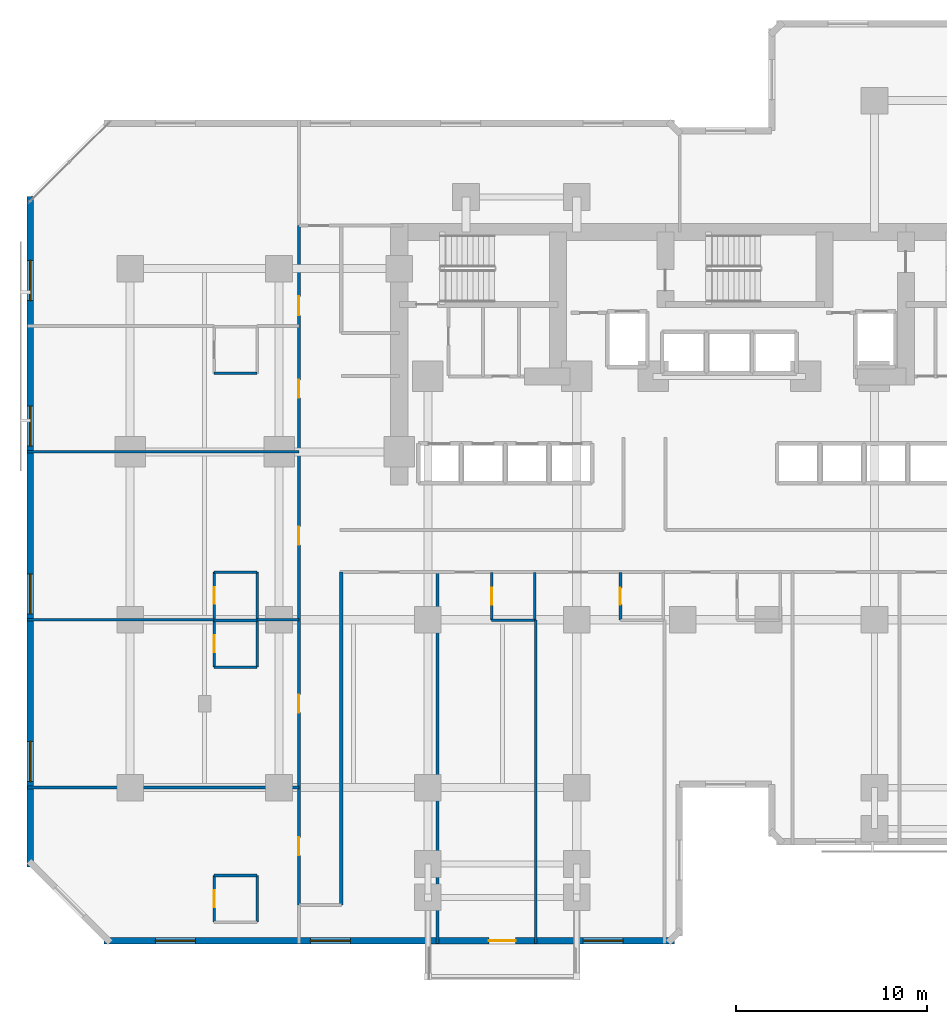
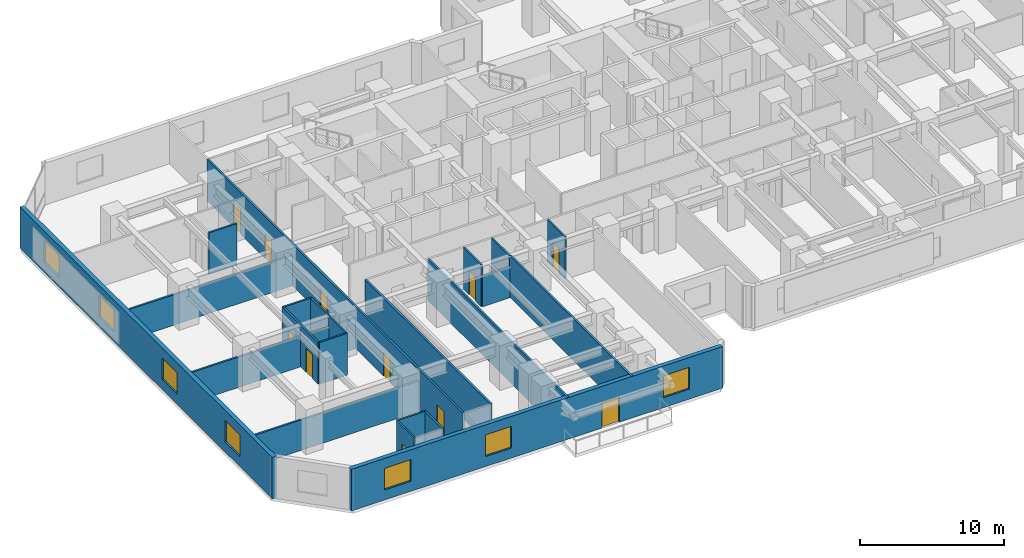
# One storey, part 5 of 12: 25 walls, 11 doors, 7 windows, 18 openings.
"""IFC4 building model written with IfcOpenShell, lengths in metres."""

from ifc_helpers import new_model, si_unit, direction, frame, frame_2d, origin, place, context, subcontext, project, spatial, rectangle, extrude, material, layer, layer_set, type_object, element, fill, save


model = new_model("IFC4")

# Units and contexts
model_context = context("Model", 3, precision=1e-05, world=origin(), true_north=direction((0.0, 1.0)))
body_context = subcontext(model_context, "Body", "Model", "MODEL_VIEW")
ifc_project = project(units=[si_unit("LENGTHUNIT", "METRE"), si_unit("AREAUNIT", "SQUARE_METRE"), si_unit("VOLUMEUNIT", "CUBIC_METRE"), si_unit("PLANEANGLEUNIT", "RADIAN"), si_unit("MASSUNIT", "GRAM", prefix="KILO")], contexts=[model_context])

# Site, building, storey
site_placement = place(None, origin())
site = spatial("IfcSite", under=ifc_project, at=site_placement, CompositionType="ELEMENT")
building_placement = place(site_placement, origin())
building = spatial("IfcBuilding", under=site, at=building_placement, Name="Kestravale Grand Hotel", CompositionType="ELEMENT")
storey_placement = place(building_placement, frame((0.0, 0.0, 41.199951171875)))
storey = spatial("IfcBuildingStorey", under=building, at=storey_placement, Name="L09", CompositionType="ELEMENT", Elevation=41.199951171875)

# Wall, openings, door, windows
ifc_material_1 = material(Name="Precast concrete f'c 45 MPa", Category="concrete")
ifc_layer_1 = layer(ifc_material_1, 0.340087890625)
ifc_layer_set_1 = layer_set([ifc_layer_1], Name="EW-PREC-340")
wall_type_1 = type_object("IfcWallType", Name="EW-PREC-340", PredefinedType="SOLIDWALL", material=ifc_layer_set_1)
wall_1_placement = place(storey_placement, frame((6.429931640625, 3.169921875, 0.0), z_axis=(0.0, 0.0, 1.0), x_axis=(1.0, 0.0, 0.0)))
wall_1 = element("IfcWall", 1, at=wall_1_placement, inside=storey, type_object=wall_type_1, Name="L09 fluted precast facade wall 1", PredefinedType="SOLIDWALL", context=body_context, shape_type="SweptSolid", body=[
    extrude(rectangle(XDim=29.89013671875, YDim=0.340087890625, at=frame_2d((14.945068359375, 0.0))), origin(), (0.0, 0.0, 1.0), 3.5400390625),
])
opening_1_placement = place(wall_1_placement, frame((20.169921875, 0.0, 0.0)))
opening_1 = element("IfcOpeningElement", 2, at=opening_1_placement, cuts=wall_1, Name="Opening D-TERR-1400", PredefinedType="OPENING", context=body_context, shape_type="SweptSolid", body=[
    extrude(rectangle(XDim=1.39990234375, YDim=2.14990234375, at=frame_2d((0.699951171875, 1.074951171875))), frame((0.0, 0.179931640625, 0.0), z_axis=(0.0, -1.0, 0.0), x_axis=(1.0, 0.0, 0.0)), (0.0, 0.0, 1.0), 0.360107421875),
])
opening_2_placement = place(wall_1_placement, frame((2.686279296875, 0.0, 0.85009765625)))
opening_2 = element("IfcOpeningElement", 3, at=opening_2_placement, cuts=wall_1, Name="Opening W-GUEST-2100", PredefinedType="OPENING", context=body_context, shape_type="SweptSolid", body=[
    extrude(rectangle(XDim=2.10009765625, YDim=1.85009765625, at=frame_2d((1.050048828125, 0.925048828125))), frame((0.0, 0.179931640625, 0.0), z_axis=(0.0, -1.0, 0.0), x_axis=(1.0, 0.0, 0.0)), (0.0, 0.0, 1.0), 0.360107421875),
])
opening_3_placement = place(wall_1_placement, frame((10.80859375, 0.0, 0.85009765625)))
opening_3 = element("IfcOpeningElement", 4, at=opening_3_placement, cuts=wall_1, Name="Opening W-GUEST-2100", PredefinedType="OPENING", context=body_context, shape_type="SweptSolid", body=[
    extrude(rectangle(XDim=2.10009765625, YDim=1.85009765625, at=frame_2d((1.050048828125, 0.925048828125))), frame((0.0, 0.179931640625, 0.0), z_axis=(0.0, -1.0, 0.0), x_axis=(1.0, 0.0, 0.0)), (0.0, 0.0, 1.0), 0.360107421875),
])
opening_4_placement = place(wall_1_placement, frame((25.103759765625, 0.0, 0.85009765625)))
opening_4 = element("IfcOpeningElement", 5, at=opening_4_placement, cuts=wall_1, Name="Opening W-GUEST-2100", PredefinedType="OPENING", context=body_context, shape_type="SweptSolid", body=[
    extrude(rectangle(XDim=2.10009765625, YDim=1.85009765625, at=frame_2d((1.050048828125, 0.925048828125))), frame((0.0, 0.179931640625, 0.0), z_axis=(0.0, -1.0, 0.0), x_axis=(1.0, 0.0, 0.0)), (0.0, 0.0, 1.0), 0.360107421875),
])
ifc_material_2 = material(Name="Insulated glazed champagne-bronze aluminium door", Category="aluminium")
door_type_1 = type_object("IfcDoorType", Name="D-TERR-1400", OperationType="NOTDEFINED", PredefinedType="DOOR", material=ifc_material_2)
door_1_placement = place(opening_1_placement, origin())
door_1 = element("IfcDoor", 6, at=door_1_placement, inside=storey, type_object=door_type_1, Name="L09 outdoor garden terrace door", OperationType="DOUBLE_DOOR_SINGLE_SWING", OverallHeight=2.14990234375, OverallWidth=1.39990234375, PredefinedType="DOOR", context=body_context, shape_type="SweptSolid", body=[
    extrude(rectangle(XDim=1.39990234375, YDim=2.14990234375, at=frame_2d((0.699951171875, 1.074951171875))), frame((0.0, 0.02490234375, 0.0), z_axis=(0.0, -1.0, 0.0), x_axis=(1.0, 0.0, 0.0)), (0.0, 0.0, 1.0), 0.050048828125),
])
fill(opening_1, door_1)
ifc_material_3 = material(Name="Insulated low-E double glazing in aluminium frame", Category="aluminium")
window_type = type_object("IfcWindowType", Name="W-GUEST-2100", PartitioningType="DOUBLE_PANEL_VERTICAL", PredefinedType="WINDOW", material=ifc_material_3)
window_1_placement = place(opening_2_placement, origin())
window_1 = element("IfcWindow", 7, at=window_1_placement, inside=storey, type_object=window_type, Name="L09 exterior window 1.1", OverallHeight=1.85009765625, OverallWidth=2.10009765625, PartitioningType="SINGLE_PANEL", PredefinedType="WINDOW", context=body_context, shape_type="SweptSolid", body=[
    extrude(rectangle(XDim=2.10009765625, YDim=1.85009765625, at=frame_2d((1.050048828125, 0.925048828125))), frame((0.0, 0.030029296875, 0.0), z_axis=(0.0, -1.0, 0.0), x_axis=(1.0, 0.0, 0.0)), (0.0, 0.0, 1.0), 0.06005859375),
])
fill(opening_2, window_1)
window_2_placement = place(opening_3_placement, origin())
window_2 = element("IfcWindow", 8, at=window_2_placement, inside=storey, type_object=window_type, Name="L09 exterior window 1.2", OverallHeight=1.85009765625, OverallWidth=2.10009765625, PartitioningType="SINGLE_PANEL", PredefinedType="WINDOW", context=body_context, shape_type="SweptSolid", body=[
    extrude(rectangle(XDim=2.10009765625, YDim=1.85009765625, at=frame_2d((1.050048828125, 0.925048828125))), frame((0.0, 0.030029296875, 0.0), z_axis=(0.0, -1.0, 0.0), x_axis=(1.0, 0.0, 0.0)), (0.0, 0.0, 1.0), 0.06005859375),
])
fill(opening_3, window_2)
window_3_placement = place(opening_4_placement, origin())
window_3 = element("IfcWindow", 9, at=window_3_placement, inside=storey, type_object=window_type, Name="L09 exterior window 1.3", OverallHeight=1.85009765625, OverallWidth=2.10009765625, PartitioningType="SINGLE_PANEL", PredefinedType="WINDOW", context=body_context, shape_type="SweptSolid", body=[
    extrude(rectangle(XDim=2.10009765625, YDim=1.85009765625, at=frame_2d((1.050048828125, 0.925048828125))), frame((0.0, 0.030029296875, 0.0), z_axis=(0.0, -1.0, 0.0), x_axis=(1.0, 0.0, 0.0)), (0.0, 0.0, 1.0), 0.06005859375),
])
fill(opening_4, window_3)

# Wall, openings, windows
wall_2_placement = place(storey_placement, frame((2.570068359375, 42.169921875, 0.0), z_axis=(0.0, 0.0, 1.0), x_axis=(0.0, -1.0, 0.0)))
wall_2 = element("IfcWall", 10, at=wall_2_placement, inside=storey, type_object=wall_type_1, Name="L09 fluted precast facade wall 19", PredefinedType="SOLIDWALL", context=body_context, shape_type="SweptSolid", body=[
    extrude(rectangle(XDim=35.139892578125, YDim=0.340087890625, at=frame_2d((17.56982421875, 0.0))), origin(), (0.0, 0.0, 1.0), 3.5400390625),
])
opening_5_placement = place(wall_2_placement, frame((3.342529296875, 0.0, 0.85009765625)))
opening_5 = element("IfcOpeningElement", 11, at=opening_5_placement, cuts=wall_2, Name="Opening W-GUEST-2100", PredefinedType="OPENING", context=body_context, shape_type="SweptSolid", body=[
    extrude(rectangle(XDim=2.10009765625, YDim=1.85009765625, at=frame_2d((1.050048828125, 0.925048828125))), frame((0.0, 0.179931640625, 0.0), z_axis=(0.0, -1.0, 0.0), x_axis=(1.0, 0.0, 0.0)), (0.0, 0.0, 1.0), 0.360107421875),
])
opening_6_placement = place(wall_2_placement, frame((10.9775390625, 0.0, 0.85009765625)))
opening_6 = element("IfcOpeningElement", 12, at=opening_6_placement, cuts=wall_2, Name="Opening W-GUEST-2100", PredefinedType="OPENING", context=body_context, shape_type="SweptSolid", body=[
    extrude(rectangle(XDim=2.10009765625, YDim=1.85009765625, at=frame_2d((1.050048828125, 0.925048828125))), frame((0.0, 0.179931640625, 0.0), z_axis=(0.0, -1.0, 0.0), x_axis=(1.0, 0.0, 0.0)), (0.0, 0.0, 1.0), 0.360107421875),
])
opening_7_placement = place(wall_2_placement, frame((19.762451171875, 0.0, 0.85009765625)))
opening_7 = element("IfcOpeningElement", 13, at=opening_7_placement, cuts=wall_2, Name="Opening W-GUEST-2100", PredefinedType="OPENING", context=body_context, shape_type="SweptSolid", body=[
    extrude(rectangle(XDim=2.10009765625, YDim=1.85009765625, at=frame_2d((1.050048828125, 0.925048828125))), frame((0.0, 0.179931640625, 0.0), z_axis=(0.0, -1.0, 0.0), x_axis=(1.0, 0.0, 0.0)), (0.0, 0.0, 1.0), 0.360107421875),
])
opening_8_placement = place(wall_2_placement, frame((28.547607421875, 0.0, 0.85009765625)))
opening_8 = element("IfcOpeningElement", 14, at=opening_8_placement, cuts=wall_2, Name="Opening W-GUEST-2100", PredefinedType="OPENING", context=body_context, shape_type="SweptSolid", body=[
    extrude(rectangle(XDim=2.10009765625, YDim=1.85009765625, at=frame_2d((1.050048828125, 0.925048828125))), frame((0.0, 0.179931640625, 0.0), z_axis=(0.0, -1.0, 0.0), x_axis=(1.0, 0.0, 0.0)), (0.0, 0.0, 1.0), 0.360107421875),
])
window_4_placement = place(opening_5_placement, origin())
window_4 = element("IfcWindow", 15, at=window_4_placement, inside=storey, type_object=window_type, Name="L09 exterior window 19.1", OverallHeight=1.85009765625, OverallWidth=2.10009765625, PartitioningType="SINGLE_PANEL", PredefinedType="WINDOW", context=body_context, shape_type="SweptSolid", body=[
    extrude(rectangle(XDim=2.10009765625, YDim=1.85009765625, at=frame_2d((1.050048828125, 0.925048828125))), frame((0.0, 0.030029296875, 0.0), z_axis=(0.0, -1.0, 0.0), x_axis=(1.0, 0.0, 0.0)), (0.0, 0.0, 1.0), 0.06005859375),
])
fill(opening_5, window_4)
window_5_placement = place(opening_6_placement, origin())
window_5 = element("IfcWindow", 16, at=window_5_placement, inside=storey, type_object=window_type, Name="L09 exterior window 19.2", OverallHeight=1.85009765625, OverallWidth=2.10009765625, PartitioningType="SINGLE_PANEL", PredefinedType="WINDOW", context=body_context, shape_type="SweptSolid", body=[
    extrude(rectangle(XDim=2.10009765625, YDim=1.85009765625, at=frame_2d((1.050048828125, 0.925048828125))), frame((0.0, 0.030029296875, 0.0), z_axis=(0.0, -1.0, 0.0), x_axis=(1.0, 0.0, 0.0)), (0.0, 0.0, 1.0), 0.06005859375),
])
fill(opening_6, window_5)
window_6_placement = place(opening_7_placement, origin())
window_6 = element("IfcWindow", 17, at=window_6_placement, inside=storey, type_object=window_type, Name="L09 exterior window 19.3", OverallHeight=1.85009765625, OverallWidth=2.10009765625, PartitioningType="SINGLE_PANEL", PredefinedType="WINDOW", context=body_context, shape_type="SweptSolid", body=[
    extrude(rectangle(XDim=2.10009765625, YDim=1.85009765625, at=frame_2d((1.050048828125, 0.925048828125))), frame((0.0, 0.030029296875, 0.0), z_axis=(0.0, -1.0, 0.0), x_axis=(1.0, 0.0, 0.0)), (0.0, 0.0, 1.0), 0.06005859375),
])
fill(opening_7, window_6)
window_7_placement = place(opening_8_placement, origin())
window_7 = element("IfcWindow", 18, at=window_7_placement, inside=storey, type_object=window_type, Name="L09 exterior window 19.4", OverallHeight=1.85009765625, OverallWidth=2.10009765625, PartitioningType="SINGLE_PANEL", PredefinedType="WINDOW", context=body_context, shape_type="SweptSolid", body=[
    extrude(rectangle(XDim=2.10009765625, YDim=1.85009765625, at=frame_2d((1.050048828125, 0.925048828125))), frame((0.0, 0.030029296875, 0.0), z_axis=(0.0, -1.0, 0.0), x_axis=(1.0, 0.0, 0.0)), (0.0, 0.0, 1.0), 0.06005859375),
])
fill(opening_8, window_7)

# Wall, openings, doors
ifc_material_4 = material(Name="Acoustic fire-rated gypsum board partition", Category="other")
ifc_layer_2 = layer(ifc_material_4, 0.159912109375)
ifc_layer_set_2 = layer_set([ifc_layer_2], Name="IW-CORR-160")
wall_type_2 = type_object("IfcWallType", Name="IW-CORR-160", PredefinedType="PARTITIONING", material=ifc_layer_set_2)
wall_3_placement = place(storey_placement, frame((16.639892578125, 5.050048828125, 0.0), z_axis=(0.0, 0.0, 1.0), x_axis=(0.0, 1.0, 0.0)))
wall_3 = element("IfcWall", 19, at=wall_3_placement, inside=storey, type_object=wall_type_2, Name="W-L09-SW-W", PredefinedType="PARTITIONING", context=body_context, shape_type="SweptSolid", body=[
    extrude(rectangle(XDim=35.599853515625, YDim=0.159912109375, at=frame_2d((17.7998046875, 0.0))), origin(), (0.0, 0.0, 1.0), 3.5400390625),
])
opening_9_placement = place(wall_3_placement, frame((2.60009765625, 0.0, 0.0)))
opening_9 = element("IfcOpeningElement", 20, at=opening_9_placement, cuts=wall_3, Name="Opening D-GUEST-950", PredefinedType="OPENING", context=body_context, shape_type="SweptSolid", body=[
    extrude(rectangle(XDim=0.949951171875, YDim=2.10009765625, at=frame_2d((0.47509765625, 1.050048828125))), frame((0.0, 0.08984375, 0.0), z_axis=(0.0, -1.0, 0.0), x_axis=(1.0, 0.0, 0.0)), (0.0, 0.0, 1.0), 0.179931640625),
])
opening_10_placement = place(wall_3_placement, frame((10.074951171875, 0.0, 0.0)))
opening_10 = element("IfcOpeningElement", 21, at=opening_10_placement, cuts=wall_3, Name="Opening D-GUEST-950", PredefinedType="OPENING", context=body_context, shape_type="SweptSolid", body=[
    extrude(rectangle(XDim=0.949951171875, YDim=2.10009765625, at=frame_2d((0.47509765625, 1.050048828125))), frame((0.0, 0.08984375, 0.0), z_axis=(0.0, -1.0, 0.0), x_axis=(1.0, 0.0, 0.0)), (0.0, 0.0, 1.0), 0.179931640625),
])
opening_11_placement = place(wall_3_placement, frame((18.875, 0.0, 0.0)))
opening_11 = element("IfcOpeningElement", 22, at=opening_11_placement, cuts=wall_3, Name="Opening D-GUEST-950", PredefinedType="OPENING", context=body_context, shape_type="SweptSolid", body=[
    extrude(rectangle(XDim=0.949951171875, YDim=2.10009765625, at=frame_2d((0.47509765625, 1.050048828125))), frame((0.0, 0.08984375, 0.0), z_axis=(0.0, -1.0, 0.0), x_axis=(1.0, 0.0, 0.0)), (0.0, 0.0, 1.0), 0.179931640625),
])
opening_12_placement = place(wall_3_placement, frame((26.574951171875, 0.0, 0.0)))
opening_12 = element("IfcOpeningElement", 23, at=opening_12_placement, cuts=wall_3, Name="Opening D-GUEST-950", PredefinedType="OPENING", context=body_context, shape_type="SweptSolid", body=[
    extrude(rectangle(XDim=0.949951171875, YDim=2.10009765625, at=frame_2d((0.47509765625, 1.050048828125))), frame((0.0, 0.08984375, 0.0), z_axis=(0.0, -1.0, 0.0), x_axis=(1.0, 0.0, 0.0)), (0.0, 0.0, 1.0), 0.179931640625),
])
opening_13_placement = place(wall_3_placement, frame((30.89990234375, 0.0, 0.0)))
opening_13 = element("IfcOpeningElement", 24, at=opening_13_placement, cuts=wall_3, Name="Opening D-GUEST-1000", PredefinedType="OPENING", context=body_context, shape_type="SweptSolid", body=[
    extrude(rectangle(XDim=1.0, YDim=2.14990234375, at=frame_2d((0.5, 1.074951171875))), frame((0.0, 0.08984375, 0.0), z_axis=(0.0, -1.0, 0.0), x_axis=(1.0, 0.0, 0.0)), (0.0, 0.0, 1.0), 0.179931640625),
])
ifc_material_5 = material(Name="Accessible walnut veneer hotel entrance fire door", Category="wood")
door_type_2 = type_object("IfcDoorType", Name="D-GUEST-1000", OperationType="NOTDEFINED", PredefinedType="DOOR", material=ifc_material_5)
door_2_placement = place(opening_13_placement, origin())
door_2 = element("IfcDoor", 25, at=door_2_placement, inside=storey, type_object=door_type_2, Name="D-L09-AMWW", OperationType="SINGLE_SWING_LEFT", OverallHeight=2.14990234375, OverallWidth=1.0, PredefinedType="DOOR", context=body_context, shape_type="SweptSolid", body=[
    extrude(rectangle(XDim=1.0, YDim=2.14990234375, at=frame_2d((0.5, 1.074951171875))), frame((0.0, 0.02490234375, 0.0), z_axis=(0.0, -1.0, 0.0), x_axis=(1.0, 0.0, 0.0)), (0.0, 0.0, 1.0), 0.050048828125),
])
fill(opening_13, door_2)
ifc_material_6 = material(Name="Walnut veneer hotel guestroom entrance fire door", Category="wood")
door_type_3 = type_object("IfcDoorType", Name="D-GUEST-950", OperationType="NOTDEFINED", PredefinedType="DOOR", material=ifc_material_6)
door_3_placement = place(opening_9_placement, origin())
door_3 = element("IfcDoor", 26, at=door_3_placement, inside=storey, type_object=door_type_3, Name="D-L09-U06-ENT", OperationType="SINGLE_SWING_RIGHT", OverallHeight=2.10009765625, OverallWidth=0.949951171875, PredefinedType="DOOR", context=body_context, shape_type="SweptSolid", body=[
    extrude(rectangle(XDim=0.949951171875, YDim=2.10009765625, at=frame_2d((0.47509765625, 1.050048828125))), frame((0.0, 0.02490234375, 0.0), z_axis=(0.0, -1.0, 0.0), x_axis=(1.0, 0.0, 0.0)), (0.0, 0.0, 1.0), 0.050048828125),
])
fill(opening_9, door_3)
door_4_placement = place(opening_10_placement, origin())
door_4 = element("IfcDoor", 27, at=door_4_placement, inside=storey, type_object=door_type_3, Name="D-L09-U07-ENT", OperationType="SINGLE_SWING_RIGHT", OverallHeight=2.10009765625, OverallWidth=0.949951171875, PredefinedType="DOOR", context=body_context, shape_type="SweptSolid", body=[
    extrude(rectangle(XDim=0.949951171875, YDim=2.10009765625, at=frame_2d((0.47509765625, 1.050048828125))), frame((0.0, 0.02490234375, 0.0), z_axis=(0.0, -1.0, 0.0), x_axis=(1.0, 0.0, 0.0)), (0.0, 0.0, 1.0), 0.050048828125),
])
fill(opening_10, door_4)
door_5_placement = place(opening_11_placement, origin())
door_5 = element("IfcDoor", 28, at=door_5_placement, inside=storey, type_object=door_type_3, Name="D-L09-U08-ENT", OperationType="SINGLE_SWING_RIGHT", OverallHeight=2.10009765625, OverallWidth=0.949951171875, PredefinedType="DOOR", context=body_context, shape_type="SweptSolid", body=[
    extrude(rectangle(XDim=0.949951171875, YDim=2.10009765625, at=frame_2d((0.47509765625, 1.050048828125))), frame((0.0, 0.02490234375, 0.0), z_axis=(0.0, -1.0, 0.0), x_axis=(1.0, 0.0, 0.0)), (0.0, 0.0, 1.0), 0.050048828125),
])
fill(opening_11, door_5)
door_6_placement = place(opening_12_placement, origin())
door_6 = element("IfcDoor", 29, at=door_6_placement, inside=storey, type_object=door_type_3, Name="D-L09-U09-ENT", OperationType="SINGLE_SWING_RIGHT", OverallHeight=2.10009765625, OverallWidth=0.949951171875, PredefinedType="DOOR", context=body_context, shape_type="SweptSolid", body=[
    extrude(rectangle(XDim=0.949951171875, YDim=2.10009765625, at=frame_2d((0.47509765625, 1.050048828125))), frame((0.0, 0.02490234375, 0.0), z_axis=(0.0, -1.0, 0.0), x_axis=(1.0, 0.0, 0.0)), (0.0, 0.0, 1.0), 0.050048828125),
])
fill(opening_12, door_6)

# Wall
wall_4_placement = place(storey_placement, frame((18.860107421875, 5.050048828125, 0.0), z_axis=(0.0, 0.0, 1.0), x_axis=(0.0, 1.0, 0.0)))
element("IfcWall", 30, at=wall_4_placement, inside=storey, type_object=wall_type_2, Name="W-L09-SW-E", PredefinedType="PARTITIONING", context=body_context, shape_type="SweptSolid", body=[
    extrude(rectangle(XDim=17.43994140625, YDim=0.159912109375, at=frame_2d((8.719970703125, 0.0))), origin(), (0.0, 0.0, 1.0), 3.5400390625),
])

# Wall, opening, door
ifc_material_7 = material(Name="Moisture-resistant tile-backer plumbing chase wall", Category="other")
ifc_layer_3 = layer(ifc_material_7, 0.139892578125)
ifc_layer_set_3 = layer_set([ifc_layer_3], Name="IW-PLB-140")
wall_type_3 = type_object("IfcWallType", Name="IW-PLB-140", PredefinedType="PLUMBINGWALL", material=ifc_layer_set_3)
wall_5_placement = place(storey_placement, frame((26.743408203125, 19.97998046875, 0.0), z_axis=(0.0, 0.0, 1.0), x_axis=(0.0, 1.0, 0.0)))
wall_5 = element("IfcWall", 31, at=wall_5_placement, inside=storey, type_object=wall_type_3, Name="W-L09-U01-BW", PredefinedType="PLUMBINGWALL", context=body_context, shape_type="SweptSolid", body=[
    extrude(rectangle(XDim=2.489990234375, YDim=0.139892578125, at=frame_2d((1.2451171875, 0.0))), origin(), (0.0, 0.0, 1.0), 3.5400390625),
])
opening_14_placement = place(wall_5_placement, frame((0.804931640625, 0.0, 0.0)))
opening_14 = element("IfcOpeningElement", 32, at=opening_14_placement, cuts=wall_5, Name="Opening D-BATH-880", PredefinedType="OPENING", context=body_context, shape_type="SweptSolid", body=[
    extrude(rectangle(XDim=0.8798828125, YDim=2.050048828125, at=frame_2d((0.43994140625, 1.02490234375))), frame((0.0, 0.079833984375, 0.0), z_axis=(0.0, -1.0, 0.0), x_axis=(1.0, 0.0, 0.0)), (0.0, 0.0, 1.0), 0.159912109375),
])
ifc_material_8 = material(Name="Moisture-sealed walnut en-suite bathroom door", Category="wood")
door_type_4 = type_object("IfcDoorType", Name="D-BATH-880", OperationType="NOTDEFINED", PredefinedType="DOOR", material=ifc_material_8)
door_7_placement = place(opening_14_placement, origin())
door_7 = element("IfcDoor", 33, at=door_7_placement, inside=storey, type_object=door_type_4, Name="D-L09-U01-BATH", OperationType="SINGLE_SWING_RIGHT", OverallHeight=2.050048828125, OverallWidth=0.8798828125, PredefinedType="DOOR", context=body_context, shape_type="SweptSolid", body=[
    extrude(rectangle(XDim=0.8798828125, YDim=2.050048828125, at=frame_2d((0.43994140625, 1.02490234375))), frame((0.0, 0.02490234375, 0.0), z_axis=(0.0, -1.0, 0.0), x_axis=(1.0, 0.0, 0.0)), (0.0, 0.0, 1.0), 0.050048828125),
])
fill(opening_14, door_7)

# Walls
wall_6_placement = place(storey_placement, frame((28.993408203125, 19.97998046875, 0.0), z_axis=(0.0, 0.0, 1.0), x_axis=(0.0, 1.0, 0.0)))
element("IfcWall", 34, at=wall_6_placement, inside=storey, type_object=wall_type_3, Name="W-L09-U01-BE", PredefinedType="PLUMBINGWALL", context=body_context, shape_type="SweptSolid", body=[
    extrude(rectangle(XDim=2.489990234375, YDim=0.139892578125, at=frame_2d((1.2451171875, 0.0))), origin(), (0.0, 0.0, 1.0), 3.5400390625),
])
wall_7_placement = place(storey_placement, frame((26.743408203125, 19.97998046875, 0.0), z_axis=(0.0, 0.0, 1.0), x_axis=(1.0, 0.0, 0.0)))
element("IfcWall", 35, at=wall_7_placement, inside=storey, type_object=wall_type_3, Name="W-L09-U01-BS", PredefinedType="PLUMBINGWALL", context=body_context, shape_type="SweptSolid", body=[
    extrude(rectangle(XDim=2.25, YDim=0.139892578125, at=frame_2d((1.125, 0.0))), origin(), (0.0, 0.0, 1.0), 2.593017578125),
])

# Wall, opening, door
wall_8_placement = place(storey_placement, frame((33.489990234375, 19.97998046875, 0.0), z_axis=(0.0, 0.0, 1.0), x_axis=(0.0, 1.0, 0.0)))
wall_8 = element("IfcWall", 36, at=wall_8_placement, inside=storey, type_object=wall_type_3, Name="W-L09-U02-BW", PredefinedType="PLUMBINGWALL", context=body_context, shape_type="SweptSolid", body=[
    extrude(rectangle(XDim=2.489990234375, YDim=0.139892578125, at=frame_2d((1.2451171875, 0.0))), origin(), (0.0, 0.0, 1.0), 3.5400390625),
])
opening_15_placement = place(wall_8_placement, frame((0.804931640625, 0.0, 0.0)))
opening_15 = element("IfcOpeningElement", 37, at=opening_15_placement, cuts=wall_8, Name="Opening D-BATH-880", PredefinedType="OPENING", context=body_context, shape_type="SweptSolid", body=[
    extrude(rectangle(XDim=0.8798828125, YDim=2.050048828125, at=frame_2d((0.43994140625, 1.02490234375))), frame((0.0, 0.079833984375, 0.0), z_axis=(0.0, -1.0, 0.0), x_axis=(1.0, 0.0, 0.0)), (0.0, 0.0, 1.0), 0.159912109375),
])
door_8_placement = place(opening_15_placement, origin())
door_8 = element("IfcDoor", 38, at=door_8_placement, inside=storey, type_object=door_type_4, Name="D-L09-U02-BATH", OperationType="SINGLE_SWING_RIGHT", OverallHeight=2.050048828125, OverallWidth=0.8798828125, PredefinedType="DOOR", context=body_context, shape_type="SweptSolid", body=[
    extrude(rectangle(XDim=0.8798828125, YDim=2.050048828125, at=frame_2d((0.43994140625, 1.02490234375))), frame((0.0, 0.02490234375, 0.0), z_axis=(0.0, -1.0, 0.0), x_axis=(1.0, 0.0, 0.0)), (0.0, 0.0, 1.0), 0.050048828125),
])
fill(opening_15, door_8)

wall_9_placement = place(storey_placement, frame((12.199951171875, 4.14990234375, 0.0), z_axis=(0.0, 0.0, 1.0), x_axis=(0.0, 1.0, 0.0)))
wall_9 = element("IfcWall", 39, at=wall_9_placement, inside=storey, type_object=wall_type_3, Name="W-L09-U06-BW", PredefinedType="PLUMBINGWALL", context=body_context, shape_type="SweptSolid", body=[
    extrude(rectangle(XDim=2.4501953125, YDim=0.139892578125, at=frame_2d((1.22509765625, 0.0))), origin(), (0.0, 0.0, 1.0), 3.5400390625),
])
opening_16_placement = place(wall_9_placement, frame((0.784912109375, 0.0, 0.0)))
opening_16 = element("IfcOpeningElement", 40, at=opening_16_placement, cuts=wall_9, Name="Opening D-BATH-880", PredefinedType="OPENING", context=body_context, shape_type="SweptSolid", body=[
    extrude(rectangle(XDim=0.8798828125, YDim=2.050048828125, at=frame_2d((0.43994140625, 1.02490234375))), frame((0.0, 0.079833984375, 0.0), z_axis=(0.0, -1.0, 0.0), x_axis=(1.0, 0.0, 0.0)), (0.0, 0.0, 1.0), 0.159912109375),
])
door_9_placement = place(opening_16_placement, origin())
door_9 = element("IfcDoor", 41, at=door_9_placement, inside=storey, type_object=door_type_4, Name="D-L09-U06-BATH", OperationType="SINGLE_SWING_LEFT", OverallHeight=2.050048828125, OverallWidth=0.8798828125, PredefinedType="DOOR", context=body_context, shape_type="SweptSolid", body=[
    extrude(rectangle(XDim=0.8798828125, YDim=2.050048828125, at=frame_2d((0.43994140625, 1.02490234375))), frame((0.0, 0.02490234375, 0.0), z_axis=(0.0, -1.0, 0.0), x_axis=(1.0, 0.0, 0.0)), (0.0, 0.0, 1.0), 0.050048828125),
])
fill(opening_16, door_9)

# Walls
wall_10_placement = place(storey_placement, frame((14.449951171875, 4.14990234375, 0.0), z_axis=(0.0, 0.0, 1.0), x_axis=(0.0, 1.0, 0.0)))
element("IfcWall", 42, at=wall_10_placement, inside=storey, type_object=wall_type_3, Name="W-L09-U06-BE", PredefinedType="PLUMBINGWALL", context=body_context, shape_type="SweptSolid", body=[
    extrude(rectangle(XDim=2.4501953125, YDim=0.139892578125, at=frame_2d((1.22509765625, 0.0))), origin(), (0.0, 0.0, 1.0), 3.5400390625),
])
wall_11_placement = place(storey_placement, frame((12.199951171875, 6.60009765625, 0.0), z_axis=(0.0, 0.0, 1.0), x_axis=(1.0, 0.0, 0.0)))
element("IfcWall", 43, at=wall_11_placement, inside=storey, type_object=wall_type_3, Name="W-L09-U06-BN", PredefinedType="PLUMBINGWALL", context=body_context, shape_type="SweptSolid", body=[
    extrude(rectangle(XDim=2.25, YDim=0.139892578125, at=frame_2d((1.125, 0.0))), origin(), (0.0, 0.0, 1.0), 3.5400390625),
])

# Wall, opening, door
wall_12_placement = place(storey_placement, frame((12.199951171875, 17.510009765625, 0.0), z_axis=(0.0, 0.0, 1.0), x_axis=(0.0, 1.0, 0.0)))
wall_12 = element("IfcWall", 44, at=wall_12_placement, inside=storey, type_object=wall_type_3, Name="W-L09-U07-BW", PredefinedType="PLUMBINGWALL", context=body_context, shape_type="SweptSolid", body=[
    extrude(rectangle(XDim=2.449951171875, YDim=0.139892578125, at=frame_2d((1.22509765625, 0.0))), origin(), (0.0, 0.0, 1.0), 3.5400390625),
])
opening_17_placement = place(wall_12_placement, frame((0.784912109375, 0.0, 0.0)))
opening_17 = element("IfcOpeningElement", 45, at=opening_17_placement, cuts=wall_12, Name="Opening D-BATH-880", PredefinedType="OPENING", context=body_context, shape_type="SweptSolid", body=[
    extrude(rectangle(XDim=0.8798828125, YDim=2.050048828125, at=frame_2d((0.43994140625, 1.02490234375))), frame((0.0, 0.079833984375, 0.0), z_axis=(0.0, -1.0, 0.0), x_axis=(1.0, 0.0, 0.0)), (0.0, 0.0, 1.0), 0.159912109375),
])
door_10_placement = place(opening_17_placement, origin())
door_10 = element("IfcDoor", 46, at=door_10_placement, inside=storey, type_object=door_type_4, Name="D-L09-U07-BATH", OperationType="SINGLE_SWING_LEFT", OverallHeight=2.050048828125, OverallWidth=0.8798828125, PredefinedType="DOOR", context=body_context, shape_type="SweptSolid", body=[
    extrude(rectangle(XDim=0.8798828125, YDim=2.050048828125, at=frame_2d((0.43994140625, 1.02490234375))), frame((0.0, 0.02490234375, 0.0), z_axis=(0.0, -1.0, 0.0), x_axis=(1.0, 0.0, 0.0)), (0.0, 0.0, 1.0), 0.050048828125),
])
fill(opening_17, door_10)

# Walls
wall_13_placement = place(storey_placement, frame((14.449951171875, 17.510009765625, 0.0), z_axis=(0.0, 0.0, 1.0), x_axis=(0.0, 1.0, 0.0)))
element("IfcWall", 47, at=wall_13_placement, inside=storey, type_object=wall_type_3, Name="W-L09-U07-BE", PredefinedType="PLUMBINGWALL", context=body_context, shape_type="SweptSolid", body=[
    extrude(rectangle(XDim=2.449951171875, YDim=0.139892578125, at=frame_2d((1.22509765625, 0.0))), origin(), (0.0, 0.0, 1.0), 3.5400390625),
])
wall_14_placement = place(storey_placement, frame((12.199951171875, 17.510009765625, 0.0), z_axis=(0.0, 0.0, 1.0), x_axis=(1.0, 0.0, 0.0)))
element("IfcWall", 48, at=wall_14_placement, inside=storey, type_object=wall_type_3, Name="W-L09-U07-BS", PredefinedType="PLUMBINGWALL", context=body_context, shape_type="SweptSolid", body=[
    extrude(rectangle(XDim=2.25, YDim=0.139892578125, at=frame_2d((1.125, 0.0))), origin(), (0.0, 0.0, 1.0), 3.5400390625),
])
wall_15_placement = place(storey_placement, frame((12.199951171875, 19.9599609375, 0.0), z_axis=(0.0, 0.0, 1.0), x_axis=(1.0, 0.0, 0.0)))
element("IfcWall", 49, at=wall_15_placement, inside=storey, type_object=wall_type_3, Name="W-L09-U07-BN", PredefinedType="PLUMBINGWALL", context=body_context, shape_type="SweptSolid", body=[
    extrude(rectangle(XDim=2.25, YDim=0.139892578125, at=frame_2d((1.125, 0.0))), origin(), (0.0, 0.0, 1.0), 2.593017578125),
])

# Wall, opening, door
wall_16_placement = place(storey_placement, frame((12.199951171875, 20.0400390625, 0.0), z_axis=(0.0, 0.0, 1.0), x_axis=(0.0, 1.0, 0.0)))
wall_16 = element("IfcWall", 50, at=wall_16_placement, inside=storey, type_object=wall_type_3, Name="W-L09-U08-BW", PredefinedType="PLUMBINGWALL", context=body_context, shape_type="SweptSolid", body=[
    extrude(rectangle(XDim=2.449951171875, YDim=0.139892578125, at=frame_2d((1.22509765625, 0.0))), origin(), (0.0, 0.0, 1.0), 3.5400390625),
])
opening_18_placement = place(wall_16_placement, frame((0.784912109375, 0.0, 0.0)))
opening_18 = element("IfcOpeningElement", 51, at=opening_18_placement, cuts=wall_16, Name="Opening D-BATH-880", PredefinedType="OPENING", context=body_context, shape_type="SweptSolid", body=[
    extrude(rectangle(XDim=0.8798828125, YDim=2.050048828125, at=frame_2d((0.43994140625, 1.02490234375))), frame((0.0, 0.079833984375, 0.0), z_axis=(0.0, -1.0, 0.0), x_axis=(1.0, 0.0, 0.0)), (0.0, 0.0, 1.0), 0.159912109375),
])
door_11_placement = place(opening_18_placement, origin())
door_11 = element("IfcDoor", 52, at=door_11_placement, inside=storey, type_object=door_type_4, Name="D-L09-U08-BATH", OperationType="SINGLE_SWING_LEFT", OverallHeight=2.050048828125, OverallWidth=0.8798828125, PredefinedType="DOOR", context=body_context, shape_type="SweptSolid", body=[
    extrude(rectangle(XDim=0.8798828125, YDim=2.050048828125, at=frame_2d((0.43994140625, 1.02490234375))), frame((0.0, 0.02490234375, 0.0), z_axis=(0.0, -1.0, 0.0), x_axis=(1.0, 0.0, 0.0)), (0.0, 0.0, 1.0), 0.050048828125),
])
fill(opening_18, door_11)

# Walls
wall_17_placement = place(storey_placement, frame((14.449951171875, 20.0400390625, 0.0), z_axis=(0.0, 0.0, 1.0), x_axis=(0.0, 1.0, 0.0)))
element("IfcWall", 53, at=wall_17_placement, inside=storey, type_object=wall_type_3, Name="W-L09-U08-BE", PredefinedType="PLUMBINGWALL", context=body_context, shape_type="SweptSolid", body=[
    extrude(rectangle(XDim=2.449951171875, YDim=0.139892578125, at=frame_2d((1.22509765625, 0.0))), origin(), (0.0, 0.0, 1.0), 3.5400390625),
])
for number, where, z_axis, x_axis, name in (
    (54, (12.199951171875, 22.489990234375, 0.0), (0.0, 0.0, 1.0), (1.0, 0.0, 0.0), "W-L09-U08-BN"),
    (55, (12.199951171875, 32.909912109375, 0.0), (0.0, 0.0, 1.0), (1.0, 0.0, 0.0), "W-L09-U09-BS"),
):
    element("IfcWall", number, at=place(storey_placement, frame(where, z_axis=z_axis, x_axis=x_axis)), inside=storey, type_object=wall_type_3, Name=name, PredefinedType="PLUMBINGWALL", context=body_context, shape_type="SweptSolid", body=[
        extrude(rectangle(XDim=2.25, YDim=0.139892578125, at=frame_2d((1.125, 0.0))), origin(), (0.0, 0.0, 1.0), 3.5400390625),
    ])
ifc_material_9 = material(Name="Double-stud STC 52 acoustic demising partition", Category="other")
ifc_layer_4 = layer(ifc_material_9, 0.14990234375)
ifc_layer_set_4 = layer_set([ifc_layer_4], Name="IW-UNIT-150")
wall_type_4 = type_object("IfcWallType", Name="IW-UNIT-150", PredefinedType="PARTITIONING", material=ifc_layer_set_4)
wall_18_placement = place(storey_placement, frame((23.909912109375, 3.02001953125, 0.0), z_axis=(0.0, 0.0, 1.0), x_axis=(0.0, 1.0, 0.0)))
element("IfcWall", 56, at=wall_18_placement, inside=storey, type_object=wall_type_4, Name="W-L09-WS-1", PredefinedType="PARTITIONING", context=body_context, shape_type="SweptSolid", body=[
    extrude(rectangle(XDim=19.469970703125, YDim=0.14990234375, at=frame_2d((9.73486328125, 0.0))), origin(), (0.0, 0.0, 1.0), 3.5400390625),
])
wall_19_placement = place(storey_placement, frame((29.05322265625, 3.02001953125, 0.0), z_axis=(0.0, 0.0, 1.0), x_axis=(0.0, 1.0, 0.0)))
element("IfcWall", 57, at=wall_19_placement, inside=storey, type_object=wall_type_4, Name="W-L09-WS-2", PredefinedType="PARTITIONING", context=body_context, shape_type="SweptSolid", body=[
    extrude(rectangle(XDim=16.9599609375, YDim=0.14990234375, at=frame_2d((8.47998046875, 0.0))), origin(), (0.0, 0.0, 1.0), 3.5400390625),
])
wall_20_placement = place(storey_placement, frame((2.419921875, 11.199951171875, 0.0), z_axis=(0.0, 0.0, 1.0), x_axis=(1.0, 0.0, 0.0)))
element("IfcWall", 58, at=wall_20_placement, inside=storey, type_object=wall_type_4, Name="W-L09-WW-1", PredefinedType="PARTITIONING", context=body_context, shape_type="SweptSolid", body=[
    extrude(rectangle(XDim=14.219970703125, YDim=0.14990234375, at=frame_2d((7.10986328125, 0.0))), origin(), (0.0, 0.0, 1.0), 2.593017578125),
])
wall_21_placement = place(storey_placement, frame((2.419921875, 20.0, 0.0), z_axis=(0.0, 0.0, 1.0), x_axis=(1.0, 0.0, 0.0)))
element("IfcWall", 59, at=wall_21_placement, inside=storey, type_object=wall_type_4, Name="W-L09-WW-2", PredefinedType="PARTITIONING", context=body_context, shape_type="SweptSolid", body=[
    extrude(rectangle(XDim=9.780029296875, YDim=0.14990234375, at=frame_2d((4.89013671875, 0.0))), origin(), (0.0, 0.0, 1.0), 2.593017578125),
])
wall_22_placement = place(storey_placement, frame((14.449951171875, 20.0, 0.0), z_axis=(0.0, 0.0, 1.0), x_axis=(1.0, 0.0, 0.0)))
element("IfcWall", 60, at=wall_22_placement, inside=storey, type_object=wall_type_4, Name="W-L09-WW-2", PredefinedType="PARTITIONING", context=body_context, shape_type="SweptSolid", body=[
    extrude(rectangle(XDim=2.18994140625, YDim=0.14990234375, at=frame_2d((1.094970703125, 0.0))), origin(), (0.0, 0.0, 1.0), 2.593017578125),
])
wall_23_placement = place(storey_placement, frame((2.419921875, 28.800048828125, 0.0), z_axis=(0.0, 0.0, 1.0), x_axis=(1.0, 0.0, 0.0)))
element("IfcWall", 61, at=wall_23_placement, inside=storey, type_object=wall_type_4, Name="W-L09-WW-3", PredefinedType="PARTITIONING", context=body_context, shape_type="SweptSolid", body=[
    extrude(rectangle(XDim=14.219970703125, YDim=0.14990234375, at=frame_2d((7.10986328125, 0.0))), origin(), (0.0, 0.0, 1.0), 2.593017578125),
])

save(model, "model.ifc")
